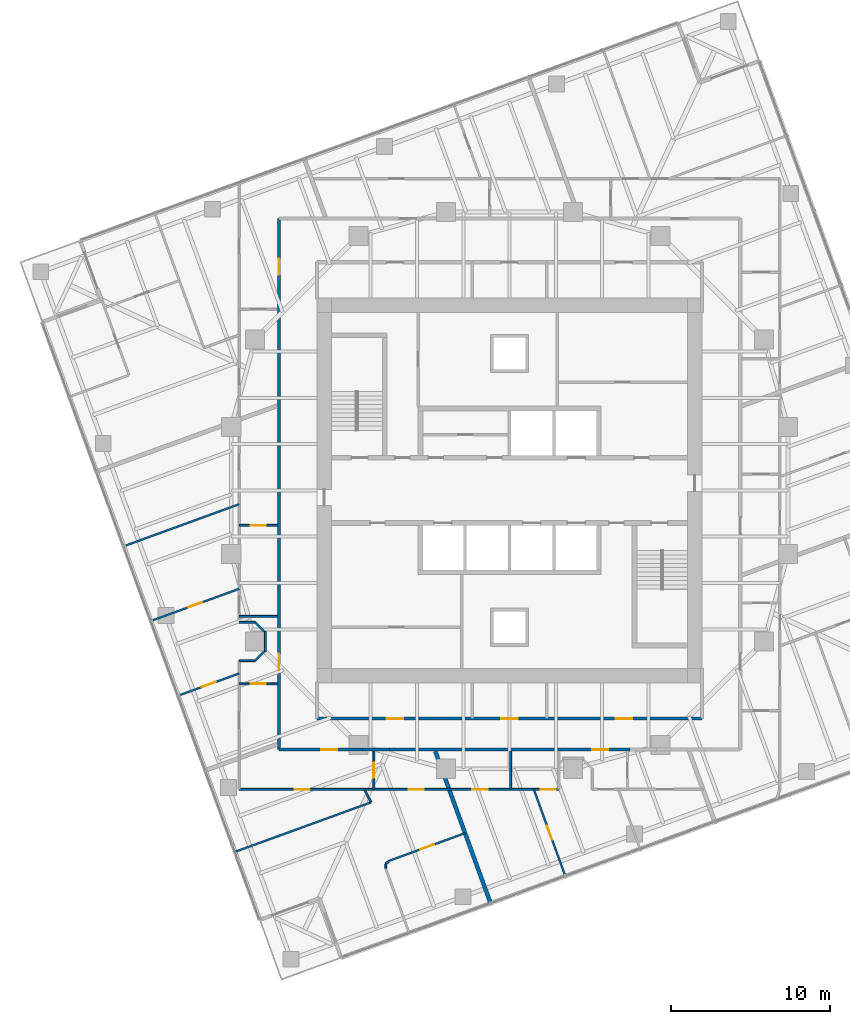
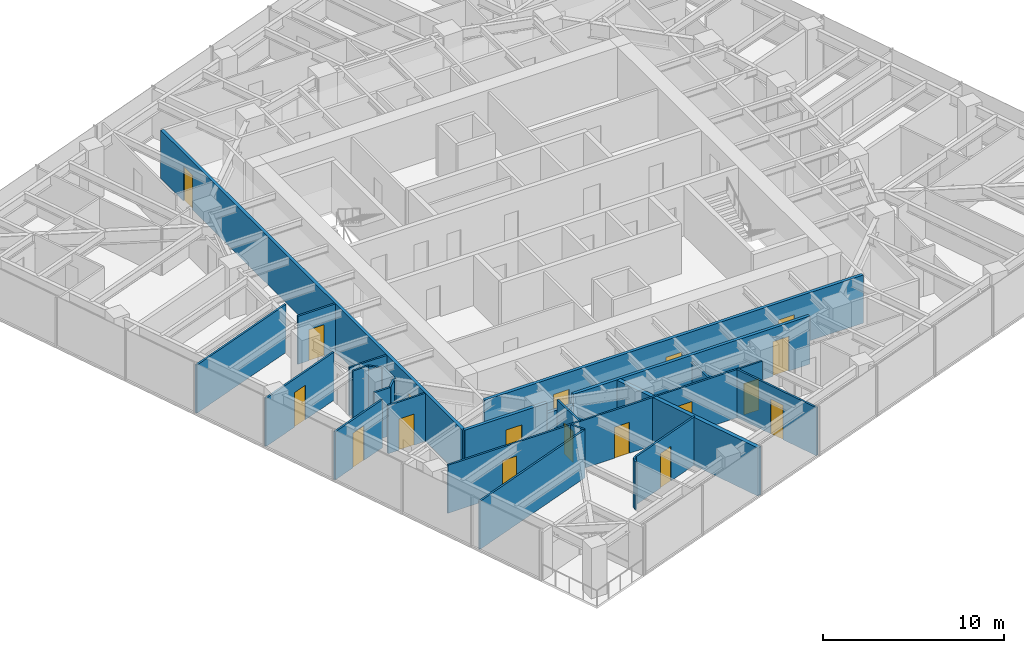
# One storey, part 7 of 13: 26 walls, 18 doors, 18 openings.
"""IFC4 building model written with IfcOpenShell, lengths in metres."""

from ifc_helpers import new_model, si_unit, direction, frame, frame_2d, origin, place, context, subcontext, project, spatial, rectangle, extrude, material, layer, layer_set, type_object, element, fill, save


model = new_model("IFC4")

# Units and contexts
model_context = context("Model", 3, precision=1e-05, world=origin(), true_north=direction((0.0, 1.0)))
body_context = subcontext(model_context, "Body", "Model", "MODEL_VIEW")
ifc_project = project(units=[si_unit("LENGTHUNIT", "METRE"), si_unit("AREAUNIT", "SQUARE_METRE"), si_unit("VOLUMEUNIT", "CUBIC_METRE"), si_unit("PLANEANGLEUNIT", "RADIAN"), si_unit("MASSUNIT", "GRAM", prefix="KILO")], contexts=[model_context])

# Site, building, storey
site_placement = place(None, origin())
site = spatial("IfcSite", under=ifc_project, at=site_placement, CompositionType="ELEMENT")
building_placement = place(site_placement, origin())
building = spatial("IfcBuilding", under=site, at=building_placement, Name="Torsade Residences", CompositionType="ELEMENT")
storey_placement = place(building_placement, frame((0.0, 0.0, 157.39990234375)))
storey = spatial("IfcBuildingStorey", under=building, at=storey_placement, Name="L43", CompositionType="ELEMENT", Elevation=157.39990234375)

# Wall, opening, door
ifc_material_1 = material(Name="Plasterboard on steel stud", Category="steel")
ifc_layer_1 = layer(ifc_material_1, 0.199951171875)
ifc_layer_set_1 = layer_set([ifc_layer_1], Name="Plasterboard on steel stud")
wall_type_1 = type_object("IfcWallType", Name="CORRIDOR WALL 200", PredefinedType="PARTITIONING", material=ifc_layer_set_1)
wall_1_placement = place(storey_placement, frame((25.5, 13.699951171875, 0.0), z_axis=(0.0, 0.0, 1.0), x_axis=(1.0, 0.0, 0.0)))
wall_1 = element("IfcWall", 1, at=wall_1_placement, inside=storey, type_object=wall_type_1, Name="Corridor wall L43", PredefinedType="PARTITIONING", context=body_context, shape_type="SweptSolid", body=[
    extrude(rectangle(XDim=5.25830078125, YDim=0.199951171875, at=frame_2d((2.629150390625, 0.0))), origin(), (0.0, 0.0, 1.0), 3.25),
])
opening_1_placement = place(wall_1_placement, frame((2.646240234375, 0.0, 0.0)))
opening_1 = element("IfcOpeningElement", 2, at=opening_1_placement, cuts=wall_1, Name="Opening D01", PredefinedType="OPENING", context=body_context, shape_type="SweptSolid", body=[
    extrude(rectangle(XDim=1.02001953125, YDim=2.340087890625, at=frame_2d((0.510009765625, 1.169921875))), frame((0.0, 0.10986328125, 0.0), z_axis=(0.0, -1.0, 0.0), x_axis=(1.0, 0.0, 0.0)), (0.0, 0.0, 1.0), 0.219970703125),
])
ifc_material_2 = material(Name="Solid-core timber fire door", Category="wood")
door_type_1 = type_object("IfcDoorType", Name="APARTMENT ENTRY DOOR 1020x2340", OperationType="NOTDEFINED", PredefinedType="DOOR", material=ifc_material_2)
door_1_placement = place(opening_1_placement, origin())
door_1 = element("IfcDoor", 3, at=door_1_placement, inside=storey, type_object=door_type_1, Name="Door Residential corridor to Kitchen and dining", OperationType="SINGLE_SWING_RIGHT", OverallHeight=2.340087890625, OverallWidth=1.02001953125, PredefinedType="DOOR", context=body_context, shape_type="SweptSolid", body=[
    extrude(rectangle(XDim=1.02001953125, YDim=2.340087890625, at=frame_2d((0.510009765625, 1.169921875))), frame((0.0, 0.02490234375, 0.0), z_axis=(0.0, -1.0, 0.0), x_axis=(1.0, 0.0, 0.0)), (0.0, 0.0, 1.0), 0.050048828125),
])
fill(opening_1, door_1)

# Wall
wall_2_placement = place(storey_placement, frame((30.75830078125, 13.699951171875, 0.0), z_axis=(0.0, 0.0, 1.0), x_axis=(1.0, 0.0, 0.0)))
element("IfcWall", 4, at=wall_2_placement, inside=storey, type_object=wall_type_1, Name="Corridor wall L43", PredefinedType="PARTITIONING", context=body_context, shape_type="SweptSolid", body=[
    extrude(rectangle(XDim=1.683349609375, YDim=0.199951171875, at=frame_2d((0.841796875, 0.0))), origin(), (0.0, 0.0, 1.0), 2.550048828125),
])

# Wall, opening, door
wall_3_placement = place(storey_placement, frame((32.441650390625, 13.699951171875, 0.0), z_axis=(0.0, 0.0, 1.0), x_axis=(1.0, 0.0, 0.0)))
wall_3 = element("IfcWall", 5, at=wall_3_placement, inside=storey, type_object=wall_type_1, Name="Corridor wall L43", PredefinedType="PARTITIONING", context=body_context, shape_type="SweptSolid", body=[
    extrude(rectangle(XDim=15.11669921875, YDim=0.199951171875, at=frame_2d((7.558349609375, 0.0))), origin(), (0.0, 0.0, 1.0), 3.25),
])
opening_2_placement = place(wall_3_placement, frame((12.755126953125, 0.0, 0.0)))
opening_2 = element("IfcOpeningElement", 6, at=opening_2_placement, cuts=wall_3, Name="Opening D01", PredefinedType="OPENING", context=body_context, shape_type="SweptSolid", body=[
    extrude(rectangle(XDim=1.02001953125, YDim=2.340087890625, at=frame_2d((0.510009765625, 1.169921875))), frame((0.0, 0.10986328125, 0.0), z_axis=(0.0, -1.0, 0.0), x_axis=(1.0, 0.0, 0.0)), (0.0, 0.0, 1.0), 0.219970703125),
])
door_2_placement = place(opening_2_placement, origin())
door_2 = element("IfcDoor", 7, at=door_2_placement, inside=storey, type_object=door_type_1, Name="Door Residential corridor to Kitchen and dining", OperationType="SINGLE_SWING_RIGHT", OverallHeight=2.340087890625, OverallWidth=1.02001953125, PredefinedType="DOOR", context=body_context, shape_type="SweptSolid", body=[
    extrude(rectangle(XDim=1.02001953125, YDim=2.340087890625, at=frame_2d((0.510009765625, 1.169921875))), frame((0.0, 0.02490234375, 0.0), z_axis=(0.0, -1.0, 0.0), x_axis=(1.0, 0.0, 0.0)), (0.0, 0.0, 1.0), 0.050048828125),
])
fill(opening_2, door_2)

# Wall, openings, doors
wall_4_placement = place(storey_placement, frame((25.5, 47.10009765625, 0.0), z_axis=(0.0, 0.0, 1.0), x_axis=(0.0, -1.0, 0.0)))
wall_4 = element("IfcWall", 8, at=wall_4_placement, inside=storey, type_object=wall_type_1, Name="Corridor wall L43", PredefinedType="PARTITIONING", context=body_context, shape_type="SweptSolid", body=[
    extrude(rectangle(XDim=33.400146484375, YDim=0.199951171875, at=frame_2d((16.7001953125, 0.0))), origin(), (0.0, 0.0, 1.0), 3.25),
])
opening_3_placement = place(wall_4_placement, frame((2.52001953125, 0.0, 0.0)))
opening_3 = element("IfcOpeningElement", 9, at=opening_3_placement, cuts=wall_4, Name="Opening D01", PredefinedType="OPENING", context=body_context, shape_type="SweptSolid", body=[
    extrude(rectangle(XDim=1.02001953125, YDim=2.340087890625, at=frame_2d((0.510009765625, 1.169921875))), frame((0.0, 0.10986328125, 0.0), z_axis=(0.0, -1.0, 0.0), x_axis=(1.0, 0.0, 0.0)), (0.0, 0.0, 1.0), 0.219970703125),
])
opening_4_placement = place(wall_4_placement, frame((27.3828125, 0.0, 0.0)))
opening_4 = element("IfcOpeningElement", 10, at=opening_4_placement, cuts=wall_4, Name="Opening D01L", PredefinedType="OPENING", context=body_context, shape_type="SweptSolid", body=[
    extrude(rectangle(XDim=1.02001953125, YDim=2.10009765625, at=frame_2d((0.510009765625, 1.050048828125))), frame((0.0, 0.10986328125, 0.0), z_axis=(0.0, -1.0, 0.0), x_axis=(1.0, 0.0, 0.0)), (0.0, 0.0, 1.0), 0.219970703125),
])
ifc_material_3 = material(Name="Solid-core timber fire door", Category="wood")
door_type_2 = type_object("IfcDoorType", Name="APARTMENT ENTRY DOOR 1020x2100", OperationType="NOTDEFINED", PredefinedType="DOOR", material=ifc_material_3)
door_3_placement = place(opening_4_placement, origin())
door_3 = element("IfcDoor", 11, at=door_3_placement, inside=storey, type_object=door_type_2, Name="Door Residential corridor to Kitchen and dining", OperationType="SINGLE_SWING_RIGHT", OverallHeight=2.10009765625, OverallWidth=1.02001953125, PredefinedType="DOOR", context=body_context, shape_type="SweptSolid", body=[
    extrude(rectangle(XDim=1.02001953125, YDim=2.10009765625, at=frame_2d((0.510009765625, 1.050048828125))), frame((0.0, 0.02490234375, 0.0), z_axis=(0.0, -1.0, 0.0), x_axis=(1.0, 0.0, 0.0)), (0.0, 0.0, 1.0), 0.050048828125),
])
fill(opening_4, door_3)
door_4_placement = place(opening_3_placement, origin())
door_4 = element("IfcDoor", 12, at=door_4_placement, inside=storey, type_object=door_type_1, Name="Door Residential corridor to Kitchen and dining", OperationType="SINGLE_SWING_LEFT", OverallHeight=2.340087890625, OverallWidth=1.02001953125, PredefinedType="DOOR", context=body_context, shape_type="SweptSolid", body=[
    extrude(rectangle(XDim=1.02001953125, YDim=2.340087890625, at=frame_2d((0.510009765625, 1.169921875))), frame((0.0, 0.02490234375, 0.0), z_axis=(0.0, -1.0, 0.0), x_axis=(1.0, 0.0, 0.0)), (0.0, 0.0, 1.0), 0.050048828125),
])
fill(opening_3, door_4)

wall_5_placement = place(storey_placement, frame((27.89990234375, 15.64990234375, 0.0), z_axis=(0.0, 0.0, 1.0), x_axis=(1.0, 0.0, 0.0)))
wall_5 = element("IfcWall", 13, at=wall_5_placement, inside=storey, type_object=wall_type_1, Name="Corridor wall L43", PredefinedType="PARTITIONING", context=body_context, shape_type="SweptSolid", body=[
    extrude(rectangle(XDim=24.2001953125, YDim=0.199951171875, at=frame_2d((12.10009765625, 0.0))), origin(), (0.0, 0.0, 1.0), 3.25),
])
opening_5_placement = place(wall_5_placement, frame((4.391357421875, 0.0, 0.0)))
opening_5 = element("IfcOpeningElement", 14, at=opening_5_placement, cuts=wall_5, Name="Opening D03", PredefinedType="OPENING", context=body_context, shape_type="SweptSolid", body=[
    extrude(rectangle(XDim=1.02001953125, YDim=2.10009765625, at=frame_2d((0.510009765625, 1.050048828125))), frame((0.0, 0.10986328125, 0.0), z_axis=(0.0, -1.0, 0.0), x_axis=(1.0, 0.0, 0.0)), (0.0, 0.0, 1.0), 0.219970703125),
])
opening_6_placement = place(wall_5_placement, frame((18.788818359375, 0.0, 0.0)))
opening_6 = element("IfcOpeningElement", 15, at=opening_6_placement, cuts=wall_5, Name="Opening D03", PredefinedType="OPENING", context=body_context, shape_type="SweptSolid", body=[
    extrude(rectangle(XDim=1.02001953125, YDim=2.10009765625, at=frame_2d((0.510009765625, 1.050048828125))), frame((0.0, 0.10986328125, 0.0), z_axis=(0.0, -1.0, 0.0), x_axis=(1.0, 0.0, 0.0)), (0.0, 0.0, 1.0), 0.219970703125),
])
opening_7_placement = place(wall_5_placement, frame((11.590087890625, 0.0, 0.0)))
opening_7 = element("IfcOpeningElement", 16, at=opening_7_placement, cuts=wall_5, Name="Opening D03", PredefinedType="OPENING", context=body_context, shape_type="SweptSolid", body=[
    extrude(rectangle(XDim=1.02001953125, YDim=2.10009765625, at=frame_2d((0.510009765625, 1.050048828125))), frame((0.0, 0.10986328125, 0.0), z_axis=(0.0, -1.0, 0.0), x_axis=(1.0, 0.0, 0.0)), (0.0, 0.0, 1.0), 0.219970703125),
])
ifc_material_4 = material(Name="Steel-framed fire door", Category="steel")
door_type_3 = type_object("IfcDoorType", Name="FIRE DOOR 1020", OperationType="NOTDEFINED", PredefinedType="DOOR", material=ifc_material_4)
door_5_placement = place(opening_5_placement, origin())
door_5 = element("IfcDoor", 17, at=door_5_placement, inside=storey, type_object=door_type_3, Name="Door Residential corridor to Residents storage", OperationType="SINGLE_SWING_RIGHT", OverallHeight=2.10009765625, OverallWidth=1.02001953125, PredefinedType="DOOR", context=body_context, shape_type="SweptSolid", body=[
    extrude(rectangle(XDim=1.02001953125, YDim=2.10009765625, at=frame_2d((0.510009765625, 1.050048828125))), frame((0.0, 0.02490234375, 0.0), z_axis=(0.0, -1.0, 0.0), x_axis=(1.0, 0.0, 0.0)), (0.0, 0.0, 1.0), 0.050048828125),
])
fill(opening_5, door_5)
door_6_placement = place(opening_6_placement, origin())
door_6 = element("IfcDoor", 18, at=door_6_placement, inside=storey, type_object=door_type_3, Name="Door Residential corridor to Parcel room", OperationType="SINGLE_SWING_LEFT", OverallHeight=2.10009765625, OverallWidth=1.02001953125, PredefinedType="DOOR", context=body_context, shape_type="SweptSolid", body=[
    extrude(rectangle(XDim=1.02001953125, YDim=2.10009765625, at=frame_2d((0.510009765625, 1.050048828125))), frame((0.0, 0.02490234375, 0.0), z_axis=(0.0, -1.0, 0.0), x_axis=(1.0, 0.0, 0.0)), (0.0, 0.0, 1.0), 0.050048828125),
])
fill(opening_6, door_6)
door_7_placement = place(opening_7_placement, origin())
door_7 = element("IfcDoor", 19, at=door_7_placement, inside=storey, type_object=door_type_3, Name="Door Residential corridor to Cleaner store", OperationType="SINGLE_SWING_LEFT", OverallHeight=2.10009765625, OverallWidth=1.02001953125, PredefinedType="DOOR", context=body_context, shape_type="SweptSolid", body=[
    extrude(rectangle(XDim=1.02001953125, YDim=2.10009765625, at=frame_2d((0.510009765625, 1.050048828125))), frame((0.0, 0.02490234375, 0.0), z_axis=(0.0, -1.0, 0.0), x_axis=(1.0, 0.0, 0.0)), (0.0, 0.0, 1.0), 0.050048828125),
])
fill(opening_7, door_7)

# Walls
ifc_material_5 = material(Name="Plasterboard on steel stud", Category="steel")
ifc_layer_2 = layer(ifc_material_5, 0.1201171875)
ifc_layer_set_2 = layer_set([ifc_layer_2], Name="Plasterboard on steel stud")
wall_type_2 = type_object("IfcWallType", Name="PARTITION 120", PredefinedType="PARTITIONING", material=ifc_layer_set_2)
wall_6_placement = place(storey_placement, frame((23.0, 22.076416015625, 0.0), z_axis=(0.0, 0.0, 1.0), x_axis=(1.0, 0.0, 0.0)))
element("IfcWall", 20, at=wall_6_placement, inside=storey, type_object=wall_type_2, Name="Partition L43", PredefinedType="PARTITIONING", context=body_context, shape_type="SweptSolid", body=[
    extrude(rectangle(XDim=2.39990234375, YDim=0.1201171875, at=frame_2d((1.199951171875, 0.0))), origin(), (0.0, 0.0, 1.0), 3.25),
])
wall_7_placement = place(storey_placement, frame((23.0, 19.300048828125, 0.0), z_axis=(0.0, 0.0, 1.0), x_axis=(1.0, 0.0, 0.0)))
element("IfcWall", 21, at=wall_7_placement, inside=storey, type_object=wall_type_2, Name="Partition L43", PredefinedType="PARTITIONING", context=body_context, shape_type="SweptSolid", body=[
    extrude(rectangle(XDim=1.0, YDim=0.1201171875, at=frame_2d((0.5, 0.0))), origin(), (0.0, 0.0, 1.0), 3.25),
])
wall_8_placement = place(storey_placement, frame((24.0, 19.300048828125, 0.0), z_axis=(0.0, 0.0, 1.0), x_axis=(0.707106781187, 0.707106781187, 0.0)))
element("IfcWall", 22, at=wall_8_placement, inside=storey, type_object=wall_type_2, Name="Partition L43", PredefinedType="PARTITIONING", context=body_context, shape_type="SweptSolid", body=[
    extrude(rectangle(XDim=0.77783203125, YDim=0.1201171875, at=frame_2d((0.388916015625, 0.0))), origin(), (0.0, 0.0, 1.0), 3.25),
])
wall_9_placement = place(storey_placement, frame((24.64990234375, 19.85009765625, 0.0), z_axis=(0.0, 0.0, 1.0), x_axis=(0.0, 1.0, 0.0)))
element("IfcWall", 23, at=wall_9_placement, inside=storey, type_object=wall_type_2, Name="Partition L43", PredefinedType="PARTITIONING", context=body_context, shape_type="SweptSolid", body=[
    extrude(rectangle(XDim=1.2998046875, YDim=0.1201171875, at=frame_2d((0.64990234375, 0.0))), origin(), (0.0, 0.0, 1.0), 3.25),
])
wall_10_placement = place(storey_placement, frame((24.550048828125, 21.14990234375, 0.0), z_axis=(0.0, 0.0, 1.0), x_axis=(-0.707106781187, 0.707106781187, 0.0)))
element("IfcWall", 24, at=wall_10_placement, inside=storey, type_object=wall_type_2, Name="Partition L43", PredefinedType="PARTITIONING", context=body_context, shape_type="SweptSolid", body=[
    extrude(rectangle(XDim=0.77783203125, YDim=0.1201171875, at=frame_2d((0.388916015625, 0.0))), origin(), (0.0, 0.0, 1.0), 3.25),
])
wall_11_placement = place(storey_placement, frame((24.0, 21.699951171875, 0.0), z_axis=(0.0, 0.0, 1.0), x_axis=(-1.0, 0.0, 0.0)))
element("IfcWall", 25, at=wall_11_placement, inside=storey, type_object=wall_type_2, Name="Partition L43", PredefinedType="PARTITIONING", context=body_context, shape_type="SweptSolid", body=[
    extrude(rectangle(XDim=1.0, YDim=0.1201171875, at=frame_2d((0.5, 0.0))), origin(), (0.0, 0.0, 1.0), 3.25),
])

# Wall, opening, door
wall_12_placement = place(storey_placement, frame((25.39990234375, 17.838134765625, 0.0), z_axis=(0.0, 0.0, 1.0), x_axis=(-1.0, 0.0, 0.0)))
wall_12 = element("IfcWall", 26, at=wall_12_placement, inside=storey, type_object=wall_type_2, Name="Partition L43", PredefinedType="PARTITIONING", context=body_context, shape_type="SweptSolid", body=[
    extrude(rectangle(XDim=2.39990234375, YDim=0.1201171875, at=frame_2d((1.199951171875, 0.0))), origin(), (0.0, 0.0, 1.0), 3.25),
])
opening_8_placement = place(wall_12_placement, frame((0.719970703125, 0.0, 0.0)))
opening_8 = element("IfcOpeningElement", 27, at=opening_8_placement, cuts=wall_12, Name="Opening D05", PredefinedType="OPENING", context=body_context, shape_type="SweptSolid", body=[
    extrude(rectangle(XDim=0.9599609375, YDim=2.10009765625, at=frame_2d((0.47998046875, 1.050048828125))), frame((0.0, 0.070068359375, 0.0), z_axis=(0.0, -1.0, 0.0), x_axis=(1.0, 0.0, 0.0)), (0.0, 0.0, 1.0), 0.14013671875),
])
ifc_material_6 = material(Name="Hollow-core timber door in a steel cavity frame", Category="steel")
door_type_4 = type_object("IfcDoorType", Name="BATHROOM CAVITY SLIDING DOOR 960", OperationType="SLIDING_TO_LEFT", PredefinedType="DOOR", material=ifc_material_6)
door_8_placement = place(opening_8_placement, origin())
door_8 = element("IfcDoor", 28, at=door_8_placement, inside=storey, type_object=door_type_4, Name="Door Kitchen and dining to WC", OperationType="SLIDING_TO_LEFT", OverallHeight=2.10009765625, OverallWidth=0.9599609375, PredefinedType="DOOR", context=body_context, shape_type="SweptSolid", body=[
    extrude(rectangle(XDim=0.9599609375, YDim=2.10009765625, at=frame_2d((0.47998046875, 1.050048828125))), frame((0.0, 0.02490234375, 0.0), z_axis=(0.0, -1.0, 0.0), x_axis=(1.0, 0.0, 0.0)), (0.0, 0.0, 1.0), 0.050048828125),
])
fill(opening_8, door_8)

wall_13_placement = place(storey_placement, frame((25.39990234375, 27.797607421875, 0.0), z_axis=(0.0, 0.0, 1.0), x_axis=(-1.0, 0.0, 0.0)))
wall_13 = element("IfcWall", 29, at=wall_13_placement, inside=storey, type_object=wall_type_2, Name="Partition L43", PredefinedType="PARTITIONING", context=body_context, shape_type="SweptSolid", body=[
    extrude(rectangle(XDim=2.39990234375, YDim=0.1201171875, at=frame_2d((1.199951171875, 0.0))), origin(), (0.0, 0.0, 1.0), 3.25),
])
opening_9_placement = place(wall_13_placement, frame((0.719970703125, 0.0, 0.0)))
opening_9 = element("IfcOpeningElement", 30, at=opening_9_placement, cuts=wall_13, Name="Opening D05", PredefinedType="OPENING", context=body_context, shape_type="SweptSolid", body=[
    extrude(rectangle(XDim=0.9599609375, YDim=2.10009765625, at=frame_2d((0.47998046875, 1.050048828125))), frame((0.0, 0.070068359375, 0.0), z_axis=(0.0, -1.0, 0.0), x_axis=(1.0, 0.0, 0.0)), (0.0, 0.0, 1.0), 0.14013671875),
])
door_9_placement = place(opening_9_placement, origin())
door_9 = element("IfcDoor", 31, at=door_9_placement, inside=storey, type_object=door_type_4, Name="Door Ensuite to Bathroom", OperationType="SLIDING_TO_LEFT", OverallHeight=2.10009765625, OverallWidth=0.9599609375, PredefinedType="DOOR", context=body_context, shape_type="SweptSolid", body=[
    extrude(rectangle(XDim=0.9599609375, YDim=2.10009765625, at=frame_2d((0.47998046875, 1.050048828125))), frame((0.0, 0.02490234375, 0.0), z_axis=(0.0, -1.0, 0.0), x_axis=(1.0, 0.0, 0.0)), (0.0, 0.0, 1.0), 0.050048828125),
])
fill(opening_9, door_9)

# Wall
wall_14_placement = place(storey_placement, frame((23.0, 29.133544921875, 0.0), z_axis=(0.0, 0.0, 1.0), x_axis=(-0.939685835373, -0.342038785519, 0.0)))
element("IfcWall", 32, at=wall_14_placement, inside=storey, type_object=wall_type_2, Name="Partition L43", PredefinedType="PARTITIONING", context=body_context, shape_type="SweptSolid", body=[
    extrude(rectangle(XDim=7.68896484375, YDim=0.1201171875, at=frame_2d((3.844482421875, 0.0))), origin(), (0.0, 0.0, 1.0), 3.25),
])

# Wall, opening, door
wall_15_placement = place(storey_placement, frame((23.0, 23.8125, 0.0), z_axis=(0.0, 0.0, 1.0), x_axis=(-0.939693791822, -0.342016925912, 0.0)))
wall_15 = element("IfcWall", 33, at=wall_15_placement, inside=storey, type_object=wall_type_2, Name="Partition L43", PredefinedType="PARTITIONING", context=body_context, shape_type="SweptSolid", body=[
    extrude(rectangle(XDim=5.869140625, YDim=0.1201171875, at=frame_2d((2.9345703125, 0.0))), origin(), (0.0, 0.0, 1.0), 3.25),
])
opening_10_placement = place(wall_15_placement, frame((2.494384765625, 0.0, 0.0)))
opening_10 = element("IfcOpeningElement", 34, at=opening_10_placement, cuts=wall_15, Name="Opening D02", PredefinedType="OPENING", context=body_context, shape_type="SweptSolid", body=[
    extrude(rectangle(XDim=0.919921875, YDim=2.340087890625, at=frame_2d((0.4599609375, 1.169921875))), frame((0.0, 0.070068359375, 0.0), z_axis=(0.0, -1.0, 0.0), x_axis=(1.0, 0.0, 0.0)), (0.0, 0.0, 1.0), 0.14013671875),
])
ifc_material_7 = material(Name="Hollow-core timber door", Category="wood")
door_type_5 = type_object("IfcDoorType", Name="INTERNAL DOOR 920x2340", OperationType="NOTDEFINED", PredefinedType="DOOR", material=ifc_material_7)
door_10_placement = place(opening_10_placement, origin())
door_10 = element("IfcDoor", 35, at=door_10_placement, inside=storey, type_object=door_type_5, Name="Door Bedroom 2 to Bedroom 1", OperationType="SINGLE_SWING_RIGHT", OverallHeight=2.340087890625, OverallWidth=0.919921875, PredefinedType="DOOR", context=body_context, shape_type="SweptSolid", body=[
    extrude(rectangle(XDim=0.919921875, YDim=2.340087890625, at=frame_2d((0.4599609375, 1.169921875))), frame((0.0, 0.02490234375, 0.0), z_axis=(0.0, -1.0, 0.0), x_axis=(1.0, 0.0, 0.0)), (0.0, 0.0, 1.0), 0.050048828125),
])
fill(opening_10, door_10)

wall_16_placement = place(storey_placement, frame((23.0, 18.49169921875, 0.0), z_axis=(0.0, 0.0, 1.0), x_axis=(-0.939682468191, -0.342048036063, 0.0)))
wall_16 = element("IfcWall", 36, at=wall_16_placement, inside=storey, type_object=wall_type_2, Name="Partition L43", PredefinedType="PARTITIONING", context=body_context, shape_type="SweptSolid", body=[
    extrude(rectangle(XDim=4.049072265625, YDim=0.1201171875, at=frame_2d((2.0244140625, 0.0))), origin(), (0.0, 0.0, 1.0), 3.25),
])
opening_11_placement = place(wall_16_placement, frame((1.58447265625, 0.0, 0.0)))
opening_11 = element("IfcOpeningElement", 37, at=opening_11_placement, cuts=wall_16, Name="Opening D02", PredefinedType="OPENING", context=body_context, shape_type="SweptSolid", body=[
    extrude(rectangle(XDim=0.919921875, YDim=2.340087890625, at=frame_2d((0.4599609375, 1.169921875))), frame((0.0, 0.070068359375, 0.0), z_axis=(0.0, -1.0, 0.0), x_axis=(1.0, 0.0, 0.0)), (0.0, 0.0, 1.0), 0.14013671875),
])
door_11_placement = place(opening_11_placement, origin())
door_11 = element("IfcDoor", 38, at=door_11_placement, inside=storey, type_object=door_type_5, Name="Door Bedroom 3 to Bedroom 2", OperationType="SINGLE_SWING_LEFT", OverallHeight=2.340087890625, OverallWidth=0.919921875, PredefinedType="DOOR", context=body_context, shape_type="SweptSolid", body=[
    extrude(rectangle(XDim=0.919921875, YDim=2.340087890625, at=frame_2d((0.4599609375, 1.169921875))), frame((0.0, 0.02490234375, 0.0), z_axis=(0.0, -1.0, 0.0), x_axis=(1.0, 0.0, 0.0)), (0.0, 0.0, 1.0), 0.050048828125),
])
fill(opening_11, door_11)

wall_17_placement = place(storey_placement, frame((31.46240234375, 13.60009765625, 0.0), z_axis=(0.0, 0.0, 1.0), x_axis=(0.0, -1.0, 0.0)))
wall_17 = element("IfcWall", 39, at=wall_17_placement, inside=storey, type_object=wall_type_2, Name="Partition L43", PredefinedType="PARTITIONING", context=body_context, shape_type="SweptSolid", body=[
    extrude(rectangle(XDim=2.400146484375, YDim=0.1201171875, at=frame_2d((1.2001953125, 0.0))), origin(), (0.0, 0.0, 1.0), 3.25),
])
opening_12_placement = place(wall_17_placement, frame((0.719970703125, 0.0, 0.0)))
opening_12 = element("IfcOpeningElement", 40, at=opening_12_placement, cuts=wall_17, Name="Opening D05", PredefinedType="OPENING", context=body_context, shape_type="SweptSolid", body=[
    extrude(rectangle(XDim=0.9599609375, YDim=2.10009765625, at=frame_2d((0.47998046875, 1.050048828125))), frame((0.0, 0.070068359375, 0.0), z_axis=(0.0, -1.0, 0.0), x_axis=(1.0, 0.0, 0.0)), (0.0, 0.0, 1.0), 0.14013671875),
])
door_12_placement = place(opening_12_placement, origin())
door_12 = element("IfcDoor", 41, at=door_12_placement, inside=storey, type_object=door_type_4, Name="Door Kitchen and dining to Bathroom", OperationType="SLIDING_TO_LEFT", OverallHeight=2.10009765625, OverallWidth=0.9599609375, PredefinedType="DOOR", context=body_context, shape_type="SweptSolid", body=[
    extrude(rectangle(XDim=0.9599609375, YDim=2.10009765625, at=frame_2d((0.47998046875, 1.050048828125))), frame((0.0, 0.02490234375, 0.0), z_axis=(0.0, -1.0, 0.0), x_axis=(1.0, 0.0, 0.0)), (0.0, 0.0, 1.0), 0.050048828125),
])
fill(opening_12, door_12)

# Wall, openings, doors
wall_18_placement = place(storey_placement, frame((43.097900390625, 11.199951171875, 0.0), z_axis=(0.0, 0.0, 1.0), x_axis=(-1.0, 0.0, 0.0)))
wall_18 = element("IfcWall", 42, at=wall_18_placement, inside=storey, type_object=wall_type_2, Name="Partition L43", PredefinedType="PARTITIONING", context=body_context, shape_type="SweptSolid", body=[
    extrude(rectangle(XDim=20.097900390625, YDim=0.1201171875, at=frame_2d((10.048828125, 0.0))), origin(), (0.0, 0.0, 1.0), 3.25),
])
opening_13_placement = place(wall_18_placement, frame((15.70068359375, 0.0, 0.0)))
opening_13 = element("IfcOpeningElement", 43, at=opening_13_placement, cuts=wall_18, Name="Opening D02", PredefinedType="OPENING", context=body_context, shape_type="SweptSolid", body=[
    extrude(rectangle(XDim=0.919921875, YDim=2.340087890625, at=frame_2d((0.4599609375, 1.169921875))), frame((0.0, 0.070068359375, 0.0), z_axis=(0.0, -1.0, 0.0), x_axis=(1.0, 0.0, 0.0)), (0.0, 0.0, 1.0), 0.14013671875),
])
opening_14_placement = place(wall_18_placement, frame((8.48974609375, 0.0, 0.0)))
opening_14 = element("IfcOpeningElement", 44, at=opening_14_placement, cuts=wall_18, Name="Opening D05", PredefinedType="OPENING", context=body_context, shape_type="SweptSolid", body=[
    extrude(rectangle(XDim=0.9599609375, YDim=2.10009765625, at=frame_2d((0.47998046875, 1.050048828125))), frame((0.0, 0.070068359375, 0.0), z_axis=(0.0, -1.0, 0.0), x_axis=(1.0, 0.0, 0.0)), (0.0, 0.0, 1.0), 0.14013671875),
])
opening_15_placement = place(wall_18_placement, frame((0.1845703125, 0.0, 0.0)))
opening_15 = element("IfcOpeningElement", 45, at=opening_15_placement, cuts=wall_18, Name="Opening D05", PredefinedType="OPENING", context=body_context, shape_type="SweptSolid", body=[
    extrude(rectangle(XDim=0.9599609375, YDim=2.10009765625, at=frame_2d((0.47998046875, 1.050048828125))), frame((0.0, 0.070068359375, 0.0), z_axis=(0.0, -1.0, 0.0), x_axis=(1.0, 0.0, 0.0)), (0.0, 0.0, 1.0), 0.14013671875),
])
opening_16_placement = place(wall_18_placement, frame((4.48388671875, 0.0, 0.0)))
opening_16 = element("IfcOpeningElement", 46, at=opening_16_placement, cuts=wall_18, Name="Opening D05", PredefinedType="OPENING", context=body_context, shape_type="SweptSolid", body=[
    extrude(rectangle(XDim=0.9599609375, YDim=2.10009765625, at=frame_2d((0.47998046875, 1.050048828125))), frame((0.0, 0.070068359375, 0.0), z_axis=(0.0, -1.0, 0.0), x_axis=(1.0, 0.0, 0.0)), (0.0, 0.0, 1.0), 0.14013671875),
])
door_13_placement = place(opening_14_placement, origin())
door_13 = element("IfcDoor", 47, at=door_13_placement, inside=storey, type_object=door_type_4, Name="Door Bathroom to Living room", OperationType="SLIDING_TO_LEFT", OverallHeight=2.10009765625, OverallWidth=0.9599609375, PredefinedType="DOOR", context=body_context, shape_type="SweptSolid", body=[
    extrude(rectangle(XDim=0.9599609375, YDim=2.10009765625, at=frame_2d((0.47998046875, 1.050048828125))), frame((0.0, 0.02490234375, 0.0), z_axis=(0.0, -1.0, 0.0), x_axis=(1.0, 0.0, 0.0)), (0.0, 0.0, 1.0), 0.050048828125),
])
fill(opening_14, door_13)
door_14_placement = place(opening_15_placement, origin())
door_14 = element("IfcDoor", 48, at=door_14_placement, inside=storey, type_object=door_type_4, Name="Door Bedroom 1 to Ensuite", OperationType="SLIDING_TO_LEFT", OverallHeight=2.10009765625, OverallWidth=0.9599609375, PredefinedType="DOOR", context=body_context, shape_type="SweptSolid", body=[
    extrude(rectangle(XDim=0.9599609375, YDim=2.10009765625, at=frame_2d((0.47998046875, 1.050048828125))), frame((0.0, 0.02490234375, 0.0), z_axis=(0.0, -1.0, 0.0), x_axis=(1.0, 0.0, 0.0)), (0.0, 0.0, 1.0), 0.050048828125),
])
fill(opening_15, door_14)
door_15_placement = place(opening_16_placement, origin())
door_15 = element("IfcDoor", 49, at=door_15_placement, inside=storey, type_object=door_type_4, Name="Door Living room to Bathroom", OperationType="SLIDING_TO_LEFT", OverallHeight=2.10009765625, OverallWidth=0.9599609375, PredefinedType="DOOR", context=body_context, shape_type="SweptSolid", body=[
    extrude(rectangle(XDim=0.9599609375, YDim=2.10009765625, at=frame_2d((0.47998046875, 1.050048828125))), frame((0.0, 0.02490234375, 0.0), z_axis=(0.0, -1.0, 0.0), x_axis=(1.0, 0.0, 0.0)), (0.0, 0.0, 1.0), 0.050048828125),
])
fill(opening_16, door_15)
door_16_placement = place(opening_13_placement, origin())
door_16 = element("IfcDoor", 50, at=door_16_placement, inside=storey, type_object=door_type_5, Name="Door Kitchen and dining to Bedroom 1", OperationType="SINGLE_SWING_LEFT", OverallHeight=2.340087890625, OverallWidth=0.919921875, PredefinedType="DOOR", context=body_context, shape_type="SweptSolid", body=[
    extrude(rectangle(XDim=0.919921875, YDim=2.340087890625, at=frame_2d((0.4599609375, 1.169921875))), frame((0.0, 0.02490234375, 0.0), z_axis=(0.0, -1.0, 0.0), x_axis=(1.0, 0.0, 0.0)), (0.0, 0.0, 1.0), 0.050048828125),
])
fill(opening_13, door_16)

# Walls
wall_19_placement = place(storey_placement, frame((22.769287109375, 7.286865234375, 0.0), z_axis=(0.0, 0.0, 1.0), x_axis=(0.939692673089, 0.342019999623, 0.0)))
element("IfcWall", 51, at=wall_19_placement, inside=storey, type_object=wall_type_2, Name="Partition L43", PredefinedType="PARTITIONING", context=body_context, shape_type="SweptSolid", body=[
    extrude(rectangle(XDim=9.059814453125, YDim=0.1201171875, at=frame_2d((4.52978515625, 0.0))), origin(), (0.0, 0.0, 1.0), 3.25),
])
wall_20_placement = place(storey_placement, frame((31.28271484375, 10.385498046875, 0.0), z_axis=(0.0, 0.0, 1.0), x_axis=(-0.448117513314, 0.893974660861, 0.0)))
element("IfcWall", 52, at=wall_20_placement, inside=storey, type_object=wall_type_2, Name="Partition L43", PredefinedType="PARTITIONING", context=body_context, shape_type="SweptSolid", body=[
    extrude(rectangle(XDim=0.864013671875, YDim=0.1201171875, at=frame_2d((0.43212890625, 0.0))), origin(), (0.0, 0.0, 1.0), 3.25),
])

# Wall, opening, door
wall_21_placement = place(storey_placement, frame((37.2021484375, 8.44873046875, 0.0), z_axis=(0.0, 0.0, 1.0), x_axis=(-0.939692115443, -0.34202153174, 0.0)))
wall_21 = element("IfcWall", 53, at=wall_21_placement, inside=storey, type_object=wall_type_2, Name="Partition L43", PredefinedType="PARTITIONING", context=body_context, shape_type="SweptSolid", body=[
    extrude(rectangle(XDim=5.068115234375, YDim=0.1201171875, at=frame_2d((2.5341796875, 0.0))), origin(), (0.0, 0.0, 1.0), 3.25),
])
opening_17_placement = place(wall_21_placement, frame((2.073974609375, 0.0, 0.0)))
opening_17 = element("IfcOpeningElement", 54, at=opening_17_placement, cuts=wall_21, Name="Opening D02", PredefinedType="OPENING", context=body_context, shape_type="SweptSolid", body=[
    extrude(rectangle(XDim=0.919921875, YDim=2.340087890625, at=frame_2d((0.4599609375, 1.169921875))), frame((0.0, 0.070068359375, 0.0), z_axis=(0.0, -1.0, 0.0), x_axis=(1.0, 0.0, 0.0)), (0.0, 0.0, 1.0), 0.14013671875),
])
door_17_placement = place(opening_17_placement, origin())
door_17 = element("IfcDoor", 55, at=door_17_placement, inside=storey, type_object=door_type_5, Name="Door Living room to Bedroom 2", OperationType="SINGLE_SWING_LEFT", OverallHeight=2.340087890625, OverallWidth=0.919921875, PredefinedType="DOOR", context=body_context, shape_type="SweptSolid", body=[
    extrude(rectangle(XDim=0.919921875, YDim=2.340087890625, at=frame_2d((0.4599609375, 1.169921875))), frame((0.0, 0.02490234375, 0.0), z_axis=(0.0, -1.0, 0.0), x_axis=(1.0, 0.0, 0.0)), (0.0, 0.0, 1.0), 0.050048828125),
])
fill(opening_17, door_17)

# Walls
wall_22_placement = place(storey_placement, frame((32.439697265625, 6.71533203125, 0.0), z_axis=(0.0, 0.0, 1.0), x_axis=(-0.769401529914, -0.638765438769, 0.0)))
element("IfcWall", 56, at=wall_22_placement, inside=storey, type_object=wall_type_2, Name="Partition L43", PredefinedType="PARTITIONING", context=body_context, shape_type="SweptSolid", body=[
    extrude(rectangle(XDim=0.27099609375, YDim=0.1201171875, at=frame_2d((0.135498046875, 0.0))), origin(), (0.0, 0.0, 1.0), 3.25),
])
wall_23_placement = place(storey_placement, frame((32.231201171875, 6.542236328125, 0.0), z_axis=(0.0, 0.0, 1.0), x_axis=(-0.093212941297, -0.995646195983, 0.0)))
element("IfcWall", 57, at=wall_23_placement, inside=storey, type_object=wall_type_2, Name="Partition L43", PredefinedType="PARTITIONING", context=body_context, shape_type="SweptSolid", body=[
    extrude(rectangle(XDim=0.2958984375, YDim=0.1201171875, at=frame_2d((0.14794921875, 0.0))), origin(), (0.0, 0.0, 1.0), 3.25),
])
wall_24_placement = place(storey_placement, frame((40.06689453125, 13.60009765625, 0.0), z_axis=(0.0, 0.0, 1.0), x_axis=(0.0, -1.0, 0.0)))
element("IfcWall", 58, at=wall_24_placement, inside=storey, type_object=wall_type_2, Name="Partition L43", PredefinedType="PARTITIONING", context=body_context, shape_type="SweptSolid", body=[
    extrude(rectangle(XDim=2.400146484375, YDim=0.1201171875, at=frame_2d((1.2001953125, 0.0))), origin(), (0.0, 0.0, 1.0), 2.796142578125),
])

# Wall, opening, door
wall_25_placement = place(storey_placement, frame((41.521728515625, 11.199951171875, 0.0), z_axis=(0.0, 0.0, 1.0), x_axis=(0.342028262279, -0.939689665689, 0.0)))
wall_25 = element("IfcWall", 59, at=wall_25_placement, inside=storey, type_object=wall_type_2, Name="Partition L43", PredefinedType="PARTITIONING", context=body_context, shape_type="SweptSolid", body=[
    extrude(rectangle(XDim=5.773193359375, YDim=0.1201171875, at=frame_2d((2.88671875, 0.0))), origin(), (0.0, 0.0, 1.0), 3.25),
])
opening_18_placement = place(wall_25_placement, frame((2.446533203125, 0.0, 0.0)))
opening_18 = element("IfcOpeningElement", 60, at=opening_18_placement, cuts=wall_25, Name="Opening D02", PredefinedType="OPENING", context=body_context, shape_type="SweptSolid", body=[
    extrude(rectangle(XDim=0.919921875, YDim=2.340087890625, at=frame_2d((0.4599609375, 1.169921875))), frame((0.0, 0.070068359375, 0.0), z_axis=(0.0, -1.0, 0.0), x_axis=(1.0, 0.0, 0.0)), (0.0, 0.0, 1.0), 0.14013671875),
])
door_18_placement = place(opening_18_placement, origin())
door_18 = element("IfcDoor", 61, at=door_18_placement, inside=storey, type_object=door_type_5, Name="Door Bedroom 1 to Living room", OperationType="SINGLE_SWING_LEFT", OverallHeight=2.340087890625, OverallWidth=0.919921875, PredefinedType="DOOR", context=body_context, shape_type="SweptSolid", body=[
    extrude(rectangle(XDim=0.919921875, YDim=2.340087890625, at=frame_2d((0.4599609375, 1.169921875))), frame((0.0, 0.02490234375, 0.0), z_axis=(0.0, -1.0, 0.0), x_axis=(1.0, 0.0, 0.0)), (0.0, 0.0, 1.0), 0.050048828125),
])
fill(opening_18, door_18)

# Wall
ifc_material_8 = material(Name="Masonry-lined stud party wall", Category="masonry")
ifc_layer_3 = layer(ifc_material_8, 0.25)
ifc_layer_set_3 = layer_set([ifc_layer_3], Name="Masonry-lined stud party wall")
wall_type_3 = type_object("IfcWallType", Name="PARTY WALL 250", PredefinedType="PARTITIONING", material=ifc_layer_set_3)
wall_26_placement = place(storey_placement, frame((38.8115234375, 4.027099609375, 0.0), z_axis=(0.0, 0.0, 1.0), x_axis=(-0.342027987857, 0.939689765573, 0.0)))
element("IfcWall", 62, at=wall_26_placement, inside=storey, type_object=wall_type_3, Name="Party wall L43", PredefinedType="PARTITIONING", context=body_context, shape_type="SweptSolid", body=[
    extrude(rectangle(XDim=10.181640625, YDim=0.25, at=frame_2d((5.0908203125, 0.0))), origin(), (0.0, 0.0, 1.0), 3.25),
])

save(model, "model.ifc")
